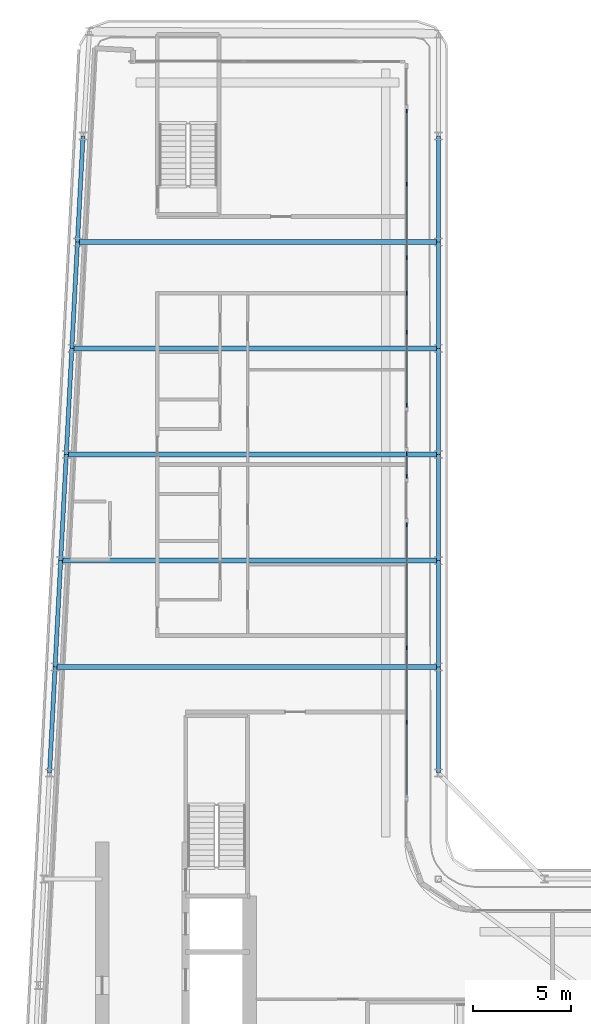
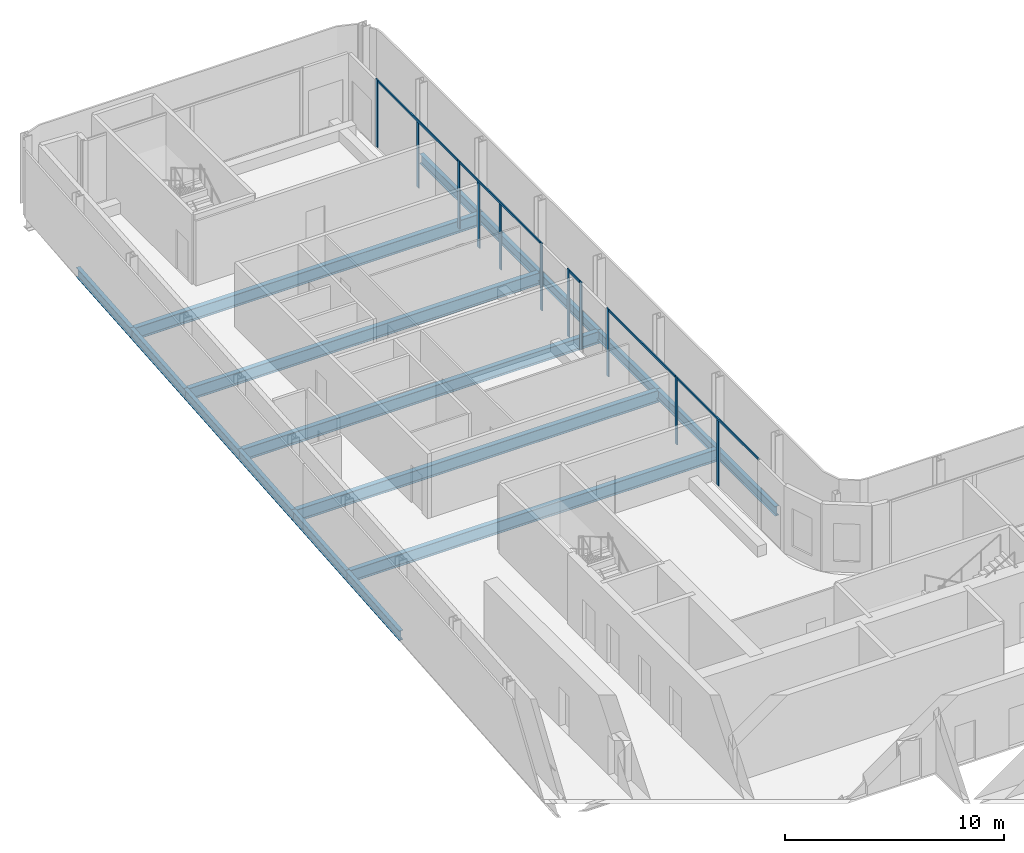
# One storey, part 6 of 21: 17 beams, 16 members, 5 elements without a shape of their own.
"""IFC4 building model written with IfcOpenShell, lengths in metres."""

from ifc_helpers import new_model, si_unit, direction, frame, origin, origin_2d, place, context, subcontext, project, spatial, rectangle, i_section, extrude, material, layer, layer_set, material_profile, profile_set, type_object, element, aggregate, save


model = new_model("IFC4")

# Units and contexts
model_context = context("Model", 3, precision=1e-05, world=origin(), true_north=direction((0.0, 1.0)))
body_context = subcontext(model_context, "Body", "Model", "MODEL_VIEW")
ifc_project = project(units=[si_unit("LENGTHUNIT", "METRE"), si_unit("AREAUNIT", "SQUARE_METRE"), si_unit("VOLUMEUNIT", "CUBIC_METRE"), si_unit("PLANEANGLEUNIT", "RADIAN"), si_unit("MASSUNIT", "GRAM", prefix="KILO")], contexts=[model_context])

# Site, building, storey
site_placement = place(None, origin())
site = spatial("IfcSite", under=ifc_project, at=site_placement, CompositionType="ELEMENT")
building_placement = place(site_placement, origin())
building = spatial("IfcBuilding", under=site, at=building_placement, Name="Kheshtan School and Residences Tower", CompositionType="ELEMENT")
storey_placement = place(building_placement, frame((0.0, 0.0, 224.0)))
storey = spatial("IfcBuildingStorey", under=building, at=storey_placement, Name="L52", CompositionType="ELEMENT", Elevation=224.0)

# Beams
ifc_material_1 = material(Name="Steel ASTM A992 Grade 50", Category="steel")
ifc_material_profile_1 = material_profile(ifc_material_1, i_section(OverallWidth=0.2529296875, OverallDepth=0.677978515625, WebThickness=0.01171875, FlangeThickness=0.016357421875, FilletRadius=0.0146484375, at=origin_2d()), Name="W690x125")
ifc_profile_set_1 = profile_set([ifc_material_profile_1], Name="Steel ASTM A992 Grade 50")
beam_type_1 = type_object("IfcBeamType", Name="Beam FB6 W690x125 ASTM A992 Grade 50", PredefinedType="BEAM", material=ifc_profile_set_1)
beam_1_placement = place(storey_placement, frame((47.60009765625, 72.60009765625, -0.489013671875), z_axis=(-1.0, 0.0, 0.0), x_axis=(0.0, -1.0, 0.0)))
element("IfcBeam", 1, at=beam_1_placement, inside=storey, type_object=beam_type_1, Name="Floor beam C087", PredefinedType="BEAM", context=body_context, shape_type="SweptSolid", body=[
    extrude(i_section(OverallWidth=0.2529296875, OverallDepth=0.677978515625, WebThickness=0.01171875, FlangeThickness=0.016357421875, FilletRadius=0.0146484375, at=origin_2d()), origin(), (0.0, 0.0, 1.0), 18.64208984375),
])
beam_2_placement = place(storey_placement, frame((47.60009765625, 61.800048828125, -0.489013671875), z_axis=(-1.0, 0.0, 0.0), x_axis=(0.0, -1.0, 0.0)))
element("IfcBeam", 2, at=beam_2_placement, inside=storey, type_object=beam_type_1, Name="Floor beam C083", PredefinedType="BEAM", context=body_context, shape_type="SweptSolid", body=[
    extrude(i_section(OverallWidth=0.2529296875, OverallDepth=0.677978515625, WebThickness=0.01171875, FlangeThickness=0.016357421875, FilletRadius=0.0146484375, at=origin_2d()), origin(), (0.0, 0.0, 1.0), 19.210205078125),
])
beam_3_placement = place(storey_placement, frame((28.10595703125, 56.39990234375, -0.489013671875), z_axis=(1.0, 0.0, 0.0), x_axis=(0.0, 1.0, 0.0)))
element("IfcBeam", 3, at=beam_3_placement, inside=storey, type_object=beam_type_1, Name="Floor beam C080", PredefinedType="BEAM", context=body_context, shape_type="SweptSolid", body=[
    extrude(i_section(OverallWidth=0.2529296875, OverallDepth=0.677978515625, WebThickness=0.01171875, FlangeThickness=0.016357421875, FilletRadius=0.0146484375, at=origin_2d()), origin(), (0.0, 0.0, 1.0), 19.494140625),
])
beam_4_placement = place(storey_placement, frame((28.674072265625, 67.199951171875, -0.489013671875), z_axis=(1.0, 0.0, 0.0), x_axis=(0.0, 1.0, 0.0)))
element("IfcBeam", 4, at=beam_4_placement, inside=storey, type_object=beam_type_1, Name="Floor beam C084", PredefinedType="BEAM", context=body_context, shape_type="SweptSolid", body=[
    extrude(i_section(OverallWidth=0.2529296875, OverallDepth=0.677978515625, WebThickness=0.01171875, FlangeThickness=0.016357421875, FilletRadius=0.0146484375, at=origin_2d()), origin(), (0.0, 0.0, 1.0), 18.926025390625),
])
beam_5_placement = place(storey_placement, frame((29.242919921875, 78.0, -0.489013671875), z_axis=(1.0, 0.0, 0.0), x_axis=(0.0, 1.0, 0.0)))
element("IfcBeam", 5, at=beam_5_placement, inside=storey, type_object=beam_type_1, Name="Floor beam C088", PredefinedType="BEAM", context=body_context, shape_type="SweptSolid", body=[
    extrude(i_section(OverallWidth=0.2529296875, OverallDepth=0.677978515625, WebThickness=0.01171875, FlangeThickness=0.016357421875, FilletRadius=0.0146484375, at=origin_2d()), origin(), (0.0, 0.0, 1.0), 18.357177734375),
])
ifc_material_profile_2 = material_profile(ifc_material_1, i_section(OverallWidth=0.208984375, OverallDepth=0.532958984375, WebThickness=0.01025390625, FlangeThickness=0.015625, FilletRadius=0.013916015625, at=origin_2d()), Name="W530x92")
ifc_profile_set_2 = profile_set([ifc_material_profile_2], Name="Steel ASTM A992 Grade 50")
beam_type_2 = type_object("IfcBeamType", Name="Beam SP3 W530x92 ASTM A992 Grade 50", PredefinedType="BEAM", material=ifc_profile_set_2)
for number, where, z_axis, x_axis, name in (
    (6, (47.60009765625, 83.39990234375, -0.41650390625), (0.0, -1.0, 0.0), (1.0, 0.0, 0.0), "Spandrel beam C091-C089"),
    (7, (47.60009765625, 78.0, -0.41650390625), (0.0, -1.0, 0.0), (1.0, 0.0, 0.0), "Spandrel beam C089-C087"),
):
    element("IfcBeam", number, at=place(storey_placement, frame(where, z_axis=z_axis, x_axis=x_axis)), inside=storey, type_object=beam_type_2, Name=name, PredefinedType="BEAM", context=body_context, shape_type="SweptSolid", body=[
        extrude(i_section(OverallWidth=0.208984375, OverallDepth=0.532958984375, WebThickness=0.01025390625, FlangeThickness=0.015625, FilletRadius=0.013916015625, at=origin_2d()), origin(), (0.0, 0.0, 1.0), 5.39990234375),
    ])
beam_6_placement = place(storey_placement, frame((47.60009765625, 72.60009765625, -0.41650390625), z_axis=(0.0, -1.0, 0.0), x_axis=(1.0, 0.0, 0.0)))
element("IfcBeam", 8, at=beam_6_placement, inside=storey, type_object=beam_type_2, Name="Spandrel beam C087-C085", PredefinedType="BEAM", context=body_context, shape_type="SweptSolid", body=[
    extrude(i_section(OverallWidth=0.208984375, OverallDepth=0.532958984375, WebThickness=0.01025390625, FlangeThickness=0.015625, FilletRadius=0.013916015625, at=origin_2d()), origin(), (0.0, 0.0, 1.0), 5.400146484375),
])
beam_7_placement = place(storey_placement, frame((47.60009765625, 67.199951171875, -0.41650390625), z_axis=(0.0, -1.0, 0.0), x_axis=(1.0, 0.0, 0.0)))
element("IfcBeam", 9, at=beam_7_placement, inside=storey, type_object=beam_type_2, Name="Spandrel beam C085-C083", PredefinedType="BEAM", context=body_context, shape_type="SweptSolid", body=[
    extrude(i_section(OverallWidth=0.208984375, OverallDepth=0.532958984375, WebThickness=0.01025390625, FlangeThickness=0.015625, FilletRadius=0.013916015625, at=origin_2d()), origin(), (0.0, 0.0, 1.0), 5.39990234375),
])
beam_8_placement = place(storey_placement, frame((47.60009765625, 61.800048828125, -0.41650390625), z_axis=(0.0, -1.0, 0.0), x_axis=(1.0, 0.0, 0.0)))
element("IfcBeam", 10, at=beam_8_placement, inside=storey, type_object=beam_type_2, Name="Spandrel beam C083-C081", PredefinedType="BEAM", context=body_context, shape_type="SweptSolid", body=[
    extrude(i_section(OverallWidth=0.208984375, OverallDepth=0.532958984375, WebThickness=0.01025390625, FlangeThickness=0.015625, FilletRadius=0.013916015625, at=origin_2d()), origin(), (0.0, 0.0, 1.0), 5.400146484375),
])
beam_9_placement = place(storey_placement, frame((47.60009765625, 56.39990234375, -0.41650390625), z_axis=(0.0, -1.0, 0.0), x_axis=(1.0, 0.0, 0.0)))
element("IfcBeam", 11, at=beam_9_placement, inside=storey, type_object=beam_type_2, Name="Spandrel beam C081-C079", PredefinedType="BEAM", context=body_context, shape_type="SweptSolid", body=[
    extrude(i_section(OverallWidth=0.208984375, OverallDepth=0.532958984375, WebThickness=0.01025390625, FlangeThickness=0.015625, FilletRadius=0.013916015625, at=origin_2d()), origin(), (0.0, 0.0, 1.0), 5.39990234375),
])
beam_10_placement = place(storey_placement, frame((27.822021484375, 51.0, -0.41650390625), z_axis=(0.05250906864, 0.998620447272, 0.0), x_axis=(-0.998620447272, 0.05250906864, 0.0)))
element("IfcBeam", 12, at=beam_10_placement, inside=storey, type_object=beam_type_2, Name="Spandrel beam C078-C080", PredefinedType="BEAM", context=body_context, shape_type="SweptSolid", body=[
    extrude(i_section(OverallWidth=0.208984375, OverallDepth=0.532958984375, WebThickness=0.01025390625, FlangeThickness=0.015625, FilletRadius=0.013916015625, at=origin_2d()), origin(), (0.0, 0.0, 1.0), 5.407470703125),
])
beam_11_placement = place(storey_placement, frame((28.10595703125, 56.39990234375, -0.41650390625), z_axis=(0.05250670125, 0.998620571751, 0.0), x_axis=(-0.998620571751, 0.05250670125, 0.0)))
element("IfcBeam", 13, at=beam_11_placement, inside=storey, type_object=beam_type_2, Name="Spandrel beam C080-C082", PredefinedType="BEAM", context=body_context, shape_type="SweptSolid", body=[
    extrude(i_section(OverallWidth=0.208984375, OverallDepth=0.532958984375, WebThickness=0.01025390625, FlangeThickness=0.015625, FilletRadius=0.013916015625, at=origin_2d()), origin(), (0.0, 0.0, 1.0), 5.40771484375),
])
beam_12_placement = place(storey_placement, frame((28.389892578125, 61.800048828125, -0.41650390625), z_axis=(0.052554093665, 0.998618078766, 0.0), x_axis=(-0.998618078766, 0.052554093665, 0.0)))
element("IfcBeam", 14, at=beam_12_placement, inside=storey, type_object=beam_type_2, Name="Spandrel beam C082-C084", PredefinedType="BEAM", context=body_context, shape_type="SweptSolid", body=[
    extrude(i_section(OverallWidth=0.208984375, OverallDepth=0.532958984375, WebThickness=0.01025390625, FlangeThickness=0.015625, FilletRadius=0.013916015625, at=origin_2d()), origin(), (0.0, 0.0, 1.0), 5.407470703125),
])
beam_13_placement = place(storey_placement, frame((28.674072265625, 67.199951171875, -0.41650390625), z_axis=(0.05250670125, 0.998620571751, 0.0), x_axis=(-0.998620571751, 0.05250670125, 0.0)))
element("IfcBeam", 15, at=beam_13_placement, inside=storey, type_object=beam_type_2, Name="Spandrel beam C084-C086", PredefinedType="BEAM", context=body_context, shape_type="SweptSolid", body=[
    extrude(i_section(OverallWidth=0.208984375, OverallDepth=0.532958984375, WebThickness=0.01025390625, FlangeThickness=0.015625, FilletRadius=0.013916015625, at=origin_2d()), origin(), (0.0, 0.0, 1.0), 5.40771484375),
])
for number, where, z_axis, x_axis, name in (
    (16, (28.9580078125, 72.60009765625, -0.41650390625), (0.052689166816, 0.998610961136, 0.0), (-0.998610961136, 0.052689166816, 0.0), "Spandrel beam C086-C088"),
    (17, (29.242919921875, 78.0, -0.41650390625), (0.052554093665, 0.998618078766, 0.0), (-0.998618078766, 0.052554093665, 0.0), "Spandrel beam C088-C090"),
):
    element("IfcBeam", number, at=place(storey_placement, frame(where, z_axis=z_axis, x_axis=x_axis)), inside=storey, type_object=beam_type_2, Name=name, PredefinedType="BEAM", context=body_context, shape_type="SweptSolid", body=[
        extrude(i_section(OverallWidth=0.208984375, OverallDepth=0.532958984375, WebThickness=0.01025390625, FlangeThickness=0.015625, FilletRadius=0.013916015625, at=origin_2d()), origin(), (0.0, 0.0, 1.0), 5.407470703125),
    ])

# Curtain wall, members
ifc_material_2 = material(Name="Clear low-e glass in thermally broken aluminium frame", Category="aluminium")
ifc_layer = layer(ifc_material_2, 0.199951171875)
ifc_layer_set = layer_set([ifc_layer], Name="Curtain wall CW-L")
curtain_wall_type = type_object("IfcCurtainWallType", Name="Curtain wall CW-L", PredefinedType="NOTDEFINED", material=ifc_layer_set)
curtain_wall_1_placement = place(storey_placement, origin())
curtain_wall_1 = element("IfcCurtainWall", 18, at=curtain_wall_1_placement, inside=storey, type_object=curtain_wall_type, Name="Curtain wall CWL4a", PredefinedType="NOTDEFINED")
ifc_material_3 = material(Name="Thermally broken aluminium, dark bronze anodised", Category="aluminium")
ifc_material_profile_3 = material_profile(ifc_material_3, rectangle(XDim=0.06005859375, YDim=0.199951171875, at=origin_2d()), Name="CW-L mullion 60x200")
ifc_profile_set_3 = profile_set([ifc_material_profile_3], Name="Thermally broken aluminium, dark bronze anodised")
member_type_1 = type_object("IfcMemberType", Name="CW-L mullion 60x200", PredefinedType="MULLION", material=ifc_profile_set_3)
member_1_placement = place(storey_placement, frame((46.0, 84.669921875, 0.0), z_axis=(0.0, 0.0, 1.0), x_axis=(1.0, 0.0, 0.0)))
member_1 = element("IfcMember", 19, at=member_1_placement, type_object=member_type_1, Name="CWL4a mullion 1", PredefinedType="MULLION", context=body_context, shape_type="SweptSolid", body=[
    extrude(rectangle(XDim=0.06005859375, YDim=0.199951171875, at=origin_2d()), origin(), (0.0, 0.0, 1.0), 3.75),
])
member_2_placement = place(storey_placement, frame((46.0, 80.941162109375, 0.0), z_axis=(0.0, 0.0, 1.0), x_axis=(1.0, 0.0, 0.0)))
member_2 = element("IfcMember", 20, at=member_2_placement, type_object=member_type_1, Name="CWL4a mullion 2", PredefinedType="MULLION", context=body_context, shape_type="SweptSolid", body=[
    extrude(rectangle(XDim=0.06005859375, YDim=0.199951171875, at=origin_2d()), origin(), (0.0, 0.0, 1.0), 3.6298828125),
])
member_3_placement = place(storey_placement, frame((46.0, 77.21240234375, 0.0), z_axis=(0.0, 0.0, 1.0), x_axis=(1.0, 0.0, 0.0)))
member_3 = element("IfcMember", 21, at=member_3_placement, type_object=member_type_1, Name="CWL4a mullion 3", PredefinedType="MULLION", context=body_context, shape_type="SweptSolid", body=[
    extrude(rectangle(XDim=0.06005859375, YDim=0.199951171875, at=origin_2d()), origin(), (0.0, 0.0, 1.0), 3.75),
])

curtain_wall_2_placement = place(storey_placement, origin())
curtain_wall_2 = element("IfcCurtainWall", 22, at=curtain_wall_2_placement, inside=storey, type_object=curtain_wall_type, Name="Curtain wall CWL4", PredefinedType="NOTDEFINED")
member_4_placement = place(storey_placement, frame((46.0, 75.39990234375, 0.0), z_axis=(0.0, 0.0, 1.0), x_axis=(1.0, 0.0, 0.0)))
member_4 = element("IfcMember", 23, at=member_4_placement, type_object=member_type_1, Name="CWL4 mullion 2", PredefinedType="MULLION", context=body_context, shape_type="SweptSolid", body=[
    extrude(rectangle(XDim=0.06005859375, YDim=0.199951171875, at=origin_2d()), origin(), (0.0, 0.0, 1.0), 3.6298828125),
])
member_5_placement = place(storey_placement, frame((46.0, 73.423828125, 0.0), z_axis=(0.0, 0.0, 1.0), x_axis=(1.0, 0.0, 0.0)))
member_5 = element("IfcMember", 24, at=member_5_placement, type_object=member_type_1, Name="CWL4 mullion 3", PredefinedType="MULLION", context=body_context, shape_type="SweptSolid", body=[
    extrude(rectangle(XDim=0.06005859375, YDim=0.199951171875, at=origin_2d()), origin(), (0.0, 0.0, 1.0), 3.6298828125),
])
member_6_placement = place(storey_placement, frame((46.0, 69.695068359375, 0.0), z_axis=(0.0, 0.0, 1.0), x_axis=(1.0, 0.0, 0.0)))
member_6 = element("IfcMember", 25, at=member_6_placement, type_object=member_type_1, Name="CWL4 mullion 4", PredefinedType="MULLION", context=body_context, shape_type="SweptSolid", body=[
    extrude(rectangle(XDim=0.06005859375, YDim=0.199951171875, at=origin_2d()), origin(), (0.0, 0.0, 1.0), 3.75),
])

curtain_wall_3_placement = place(storey_placement, origin())
curtain_wall_3 = element("IfcCurtainWall", 26, at=curtain_wall_3_placement, inside=storey, type_object=curtain_wall_type, Name="Curtain wall CWL4h", PredefinedType="NOTDEFINED")
member_7_placement = place(storey_placement, frame((46.0, 67.235107421875, 0.0), z_axis=(0.0, 0.0, 1.0), x_axis=(1.0, 0.0, 0.0)))
member_7 = element("IfcMember", 27, at=member_7_placement, type_object=member_type_1, Name="CWL4h mullion 1", PredefinedType="MULLION", context=body_context, shape_type="SweptSolid", body=[
    extrude(rectangle(XDim=0.06005859375, YDim=0.199951171875, at=origin_2d()), origin(), (0.0, 0.0, 1.0), 3.75),
])
member_8_placement = place(storey_placement, frame((46.0, 66.094970703125, 0.0), z_axis=(0.0, 0.0, 1.0), x_axis=(1.0, 0.0, 0.0)))
member_8 = element("IfcMember", 28, at=member_8_placement, type_object=member_type_1, Name="CWL4h mullion 2", PredefinedType="MULLION", context=body_context, shape_type="SweptSolid", body=[
    extrude(rectangle(XDim=0.06005859375, YDim=0.199951171875, at=origin_2d()), origin(), (0.0, 0.0, 1.0), 3.75),
])

curtain_wall_4_placement = place(storey_placement, origin())
curtain_wall_4 = element("IfcCurtainWall", 29, at=curtain_wall_4_placement, inside=storey, type_object=curtain_wall_type, Name="Curtain wall CWL4i", PredefinedType="NOTDEFINED")
member_9_placement = place(storey_placement, frame((46.0, 63.635009765625, 0.0), z_axis=(0.0, 0.0, 1.0), x_axis=(1.0, 0.0, 0.0)))
member_9 = element("IfcMember", 30, at=member_9_placement, type_object=member_type_1, Name="CWL4i mullion 1", PredefinedType="MULLION", context=body_context, shape_type="SweptSolid", body=[
    extrude(rectangle(XDim=0.06005859375, YDim=0.199951171875, at=origin_2d()), origin(), (0.0, 0.0, 1.0), 3.75),
])
member_10_placement = place(storey_placement, frame((46.0, 57.37744140625, 0.0), z_axis=(0.0, 0.0, 1.0), x_axis=(1.0, 0.0, 0.0)))
member_10 = element("IfcMember", 31, at=member_10_placement, type_object=member_type_1, Name="CWL4i mullion 2", PredefinedType="MULLION", context=body_context, shape_type="SweptSolid", body=[
    extrude(rectangle(XDim=0.06005859375, YDim=0.199951171875, at=origin_2d()), origin(), (0.0, 0.0, 1.0), 3.75),
])

# Curtain wall, member
curtain_wall_5_placement = place(storey_placement, origin())
curtain_wall_5 = element("IfcCurtainWall", 32, at=curtain_wall_5_placement, inside=storey, type_object=curtain_wall_type, Name="Curtain wall CWL4a", PredefinedType="NOTDEFINED")
member_11_placement = place(storey_placement, frame((46.0, 53.5888671875, 0.0), z_axis=(0.0, 0.0, 1.0), x_axis=(1.0, 0.0, 0.0)))
member_11 = element("IfcMember", 33, at=member_11_placement, type_object=member_type_1, Name="CWL4a mullion 2", PredefinedType="MULLION", context=body_context, shape_type="SweptSolid", body=[
    extrude(rectangle(XDim=0.06005859375, YDim=0.199951171875, at=origin_2d()), origin(), (0.0, 0.0, 1.0), 3.6298828125),
])

# Member
ifc_material_profile_4 = material_profile(ifc_material_3, rectangle(XDim=0.06005859375, YDim=0.1201171875, at=origin_2d()), Name="CW-L transom 60x120")
ifc_profile_set_4 = profile_set([ifc_material_profile_4], Name="Thermally broken aluminium, dark bronze anodised")
member_type_2 = type_object("IfcMemberType", Name="CW-L transom 60x120", PredefinedType="USERDEFINED", material=ifc_profile_set_4)
member_12_placement = place(storey_placement, frame((46.0, 84.639892578125, 3.68994140625), z_axis=(0.0, -1.0, 0.0), x_axis=(1.0, 0.0, 0.0)))
member_12 = element("IfcMember", 34, at=member_12_placement, type_object=member_type_2, Name="CWL4a transom 1", ObjectType="TRANSOM", PredefinedType="USERDEFINED", context=body_context, shape_type="SweptSolid", body=[
    extrude(rectangle(XDim=0.06005859375, YDim=0.1201171875, at=origin_2d()), origin(), (0.0, 0.0, 1.0), 7.3974609375),
])

aggregate(curtain_wall_1, [member_1, member_2, member_3, member_12])

member_13_placement = place(storey_placement, frame((46.0, 77.1826171875, 3.68994140625), z_axis=(0.0, -1.0, 0.0), x_axis=(1.0, 0.0, 0.0)))
member_13 = element("IfcMember", 35, at=member_13_placement, type_object=member_type_2, Name="CWL4 transom 1", ObjectType="TRANSOM", PredefinedType="USERDEFINED", context=body_context, shape_type="SweptSolid", body=[
    extrude(rectangle(XDim=0.06005859375, YDim=0.1201171875, at=origin_2d()), origin(), (0.0, 0.0, 1.0), 7.45751953125),
])

aggregate(curtain_wall_2, [member_4, member_5, member_6, member_13])

member_14_placement = place(storey_placement, frame((46.0, 67.205078125, 3.68994140625), z_axis=(0.0, -1.0, 0.0), x_axis=(1.0, 0.0, 0.0)))
member_14 = element("IfcMember", 36, at=member_14_placement, type_object=member_type_2, Name="CWL4h transom 1", ObjectType="TRANSOM", PredefinedType="USERDEFINED", context=body_context, shape_type="SweptSolid", body=[
    extrude(rectangle(XDim=0.06005859375, YDim=0.1201171875, at=origin_2d()), origin(), (0.0, 0.0, 1.0), 1.080078125),
])

aggregate(curtain_wall_3, [member_7, member_8, member_14])

member_15_placement = place(storey_placement, frame((46.0, 63.60498046875, 3.68994140625), z_axis=(0.0, -1.0, 0.0), x_axis=(1.0, 0.0, 0.0)))
member_15 = element("IfcMember", 37, at=member_15_placement, type_object=member_type_2, Name="CWL4i transom 1", ObjectType="TRANSOM", PredefinedType="USERDEFINED", context=body_context, shape_type="SweptSolid", body=[
    extrude(rectangle(XDim=0.06005859375, YDim=0.1201171875, at=origin_2d()), origin(), (0.0, 0.0, 1.0), 6.197509765625),
])

aggregate(curtain_wall_4, [member_9, member_10, member_15])

member_16_placement = place(storey_placement, frame((46.0, 57.347412109375, 3.68994140625), z_axis=(0.0, -1.0, 0.0), x_axis=(1.0, 0.0, 0.0)))
member_16 = element("IfcMember", 38, at=member_16_placement, type_object=member_type_2, Name="CWL4a transom 1", ObjectType="TRANSOM", PredefinedType="USERDEFINED", context=body_context, shape_type="SweptSolid", body=[
    extrude(rectangle(XDim=0.06005859375, YDim=0.1201171875, at=origin_2d()), origin(), (0.0, 0.0, 1.0), 7.45751953125),
])

aggregate(curtain_wall_5, [member_11, member_16])

save(model, "model.ifc")
